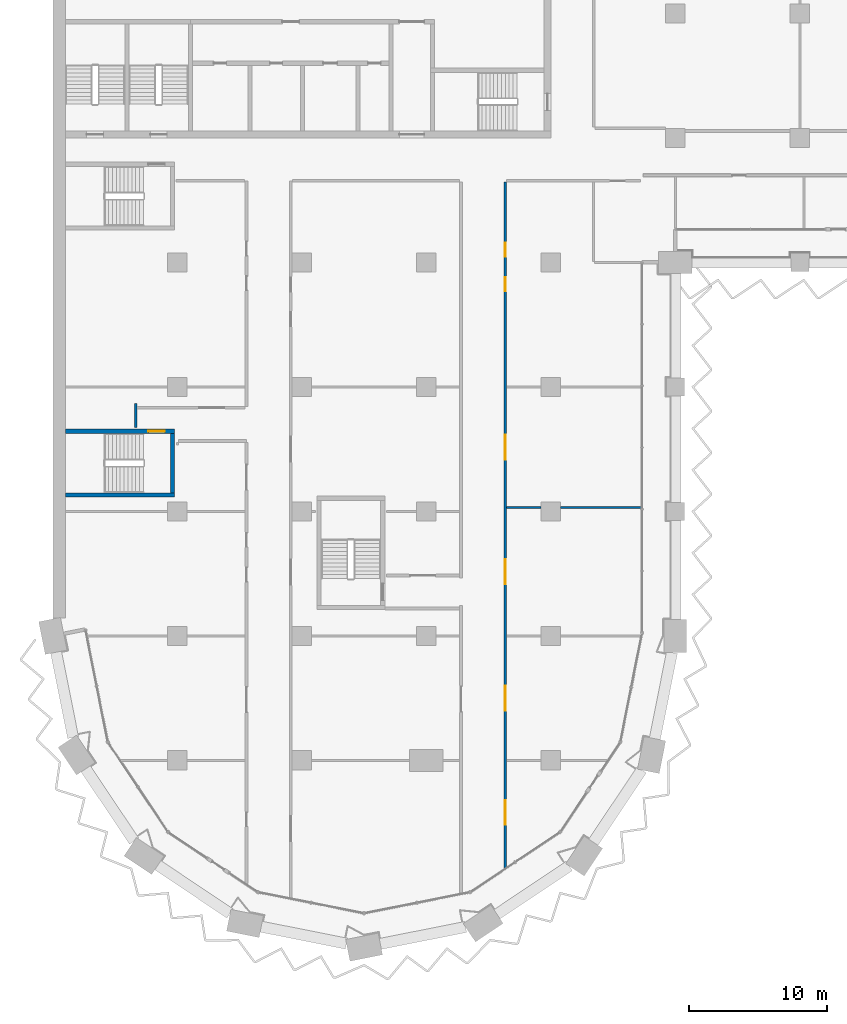
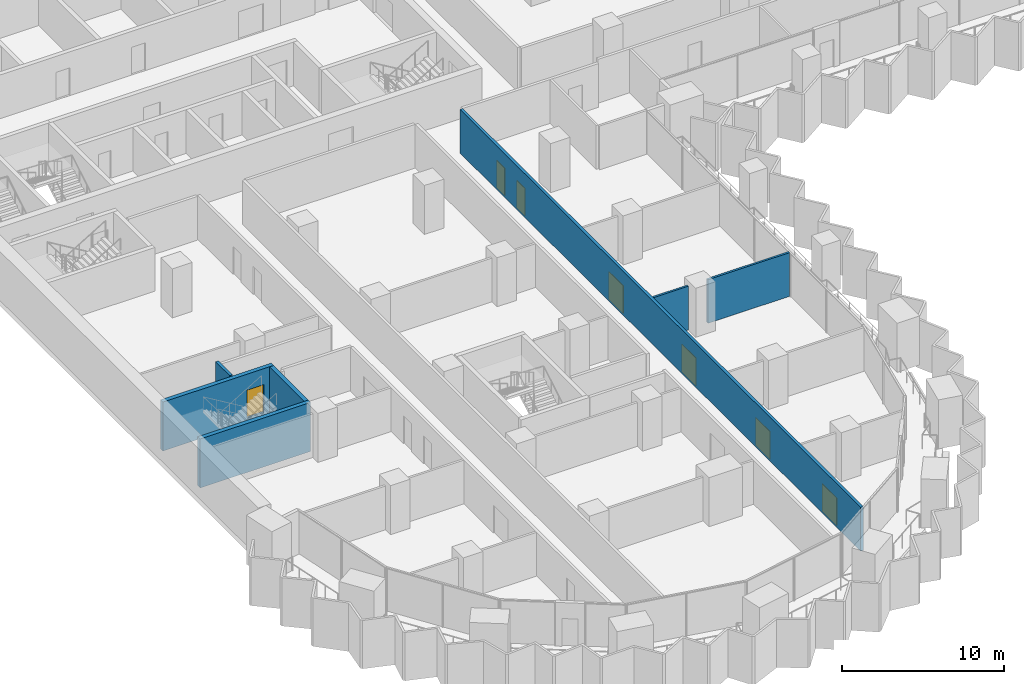
# One storey, part 11 of 29: 7 doors, 7 walls, 7 openings.
"""IFC4 building model written with IfcOpenShell, lengths in metres."""

from ifc_helpers import new_model, si_unit, direction, frame, frame_2d, origin, place, context, subcontext, project, spatial, rectangle, extrude, material, layer, layer_set, type_object, element, fill, save


model = new_model("IFC4")

# Units and contexts
model_context = context("Model", 3, precision=1e-05, world=origin(), true_north=direction((0.0, 1.0)))
body_context = subcontext(model_context, "Body", "Model", "MODEL_VIEW")
ifc_project = project(units=[si_unit("LENGTHUNIT", "METRE"), si_unit("AREAUNIT", "SQUARE_METRE"), si_unit("VOLUMEUNIT", "CUBIC_METRE"), si_unit("PLANEANGLEUNIT", "RADIAN"), si_unit("MASSUNIT", "GRAM", prefix="KILO")], contexts=[model_context])

# Site, building, storey
site_placement = place(None, origin())
site = spatial("IfcSite", under=ifc_project, at=site_placement, CompositionType="ELEMENT")
building_placement = place(site_placement, origin())
building = spatial("IfcBuilding", under=site, at=building_placement, Name="Hunhe Ridgeline Campus", CompositionType="ELEMENT")
storey_placement = place(building_placement, frame((0.0, 0.0, 65.39990234375)))
storey = spatial("IfcBuildingStorey", under=building, at=storey_placement, Name="L15", CompositionType="ELEMENT", Elevation=65.39990234375)

# Wall
ifc_material_1 = material(Name="Gypsum board partition")
ifc_layer_1 = layer(ifc_material_1, 0.199951171875)
ifc_layer_set_1 = layer_set([ifc_layer_1], Name="Corridor partition 200 gypsum board on steel studs")
wall_type_1 = type_object("IfcWallType", Name="Corridor partition 200 gypsum board on steel studs", PredefinedType="PARTITIONING", material=ifc_layer_set_1)
wall_1_placement = place(storey_placement, frame((6.0, 42.053955078125, 0.0), z_axis=(0.0, 0.0, 1.0), x_axis=(0.0, 1.0, 0.0)))
element("IfcWall", 1, at=wall_1_placement, inside=storey, type_object=wall_type_1, Name="F-L15-wall-050", PredefinedType="PARTITIONING", context=body_context, shape_type="SweptSolid", body=[
    extrude(rectangle(XDim=1.74609375, YDim=0.199951171875, at=frame_2d((0.873046875, 0.0))), origin(), (0.0, 0.0, 1.0), 3.300048828125),
])

# Wall, openings, doors
wall_2_placement = place(storey_placement, frame((32.699951171875, 59.800048828125, 0.0), z_axis=(0.0, 0.0, 1.0), x_axis=(0.0, -1.0, 0.0)))
wall_2 = element("IfcWall", 2, at=wall_2_placement, inside=storey, type_object=wall_type_1, Name="F-L15-wall-057", PredefinedType="PARTITIONING", context=body_context, shape_type="SweptSolid", body=[
    extrude(rectangle(XDim=49.572509765625, YDim=0.199951171875, at=frame_2d((24.7861328125, 0.0))), origin(), (0.0, 0.0, 1.0), 3.300048828125),
])
opening_1_placement = place(wall_2_placement, frame((44.666748046875, 0.0, 0.0)))
opening_1 = element("IfcOpeningElement", 3, at=opening_1_placement, cuts=wall_2, Name="Opening RD2-003", PredefinedType="OPENING", context=body_context, shape_type="SweptSolid", body=[
    extrude(rectangle(XDim=1.800048828125, YDim=2.10009765625, at=frame_2d((0.89990234375, 1.050048828125))), frame((0.0, 0.10009765625, 0.0), z_axis=(0.0, -1.0, 0.0), x_axis=(1.0, 0.0, 0.0)), (0.0, 0.0, 1.0), 0.199951171875),
])
opening_2_placement = place(wall_2_placement, frame((36.404541015625, 0.0, 0.0)))
opening_2 = element("IfcOpeningElement", 4, at=opening_2_placement, cuts=wall_2, Name="Opening RD2-006", PredefinedType="OPENING", context=body_context, shape_type="SweptSolid", body=[
    extrude(rectangle(XDim=1.800048828125, YDim=2.10009765625, at=frame_2d((0.89990234375, 1.050048828125))), frame((0.0, 0.10009765625, 0.0), z_axis=(0.0, -1.0, 0.0), x_axis=(1.0, 0.0, 0.0)), (0.0, 0.0, 1.0), 0.199951171875),
])
opening_3_placement = place(wall_2_placement, frame((27.26611328125, 0.0, 0.0)))
opening_3 = element("IfcOpeningElement", 5, at=opening_3_placement, cuts=wall_2, Name="Opening RD2-010", PredefinedType="OPENING", context=body_context, shape_type="SweptSolid", body=[
    extrude(rectangle(XDim=1.800048828125, YDim=2.10009765625, at=frame_2d((0.89990234375, 1.050048828125))), frame((0.0, 0.10009765625, 0.0), z_axis=(0.0, -1.0, 0.0), x_axis=(1.0, 0.0, 0.0)), (0.0, 0.0, 1.0), 0.199951171875),
])
opening_4_placement = place(wall_2_placement, frame((18.2529296875, 0.0, 0.0)))
opening_4 = element("IfcOpeningElement", 6, at=opening_4_placement, cuts=wall_2, Name="Opening RD2-014", PredefinedType="OPENING", context=body_context, shape_type="SweptSolid", body=[
    extrude(rectangle(XDim=1.800048828125, YDim=2.10009765625, at=frame_2d((0.89990234375, 1.050048828125))), frame((0.0, 0.10009765625, 0.0), z_axis=(0.0, -1.0, 0.0), x_axis=(1.0, 0.0, 0.0)), (0.0, 0.0, 1.0), 0.199951171875),
])
opening_5_placement = place(wall_2_placement, frame((6.8857421875, 0.0, 0.0)))
opening_5 = element("IfcOpeningElement", 7, at=opening_5_placement, cuts=wall_2, Name="Opening RD1-018", PredefinedType="OPENING", context=body_context, shape_type="SweptSolid", body=[
    extrude(rectangle(XDim=1.0, YDim=2.10009765625, at=frame_2d((0.5, 1.050048828125))), frame((0.0, 0.10009765625, 0.0), z_axis=(0.0, -1.0, 0.0), x_axis=(1.0, 0.0, 0.0)), (0.0, 0.0, 1.0), 0.199951171875),
])
opening_6_placement = place(wall_2_placement, frame((4.3857421875, 0.0, 0.0)))
opening_6 = element("IfcOpeningElement", 8, at=opening_6_placement, cuts=wall_2, Name="Opening RD1-020", PredefinedType="OPENING", context=body_context, shape_type="SweptSolid", body=[
    extrude(rectangle(XDim=1.0, YDim=2.10009765625, at=frame_2d((0.5, 1.050048828125))), frame((0.0, 0.10009765625, 0.0), z_axis=(0.0, -1.0, 0.0), x_axis=(1.0, 0.0, 0.0)), (0.0, 0.0, 1.0), 0.199951171875),
])
ifc_material_2 = material(Name="Timber door leaf", Category="wood")
door_type_1 = type_object("IfcDoorType", Name="Double fire door 1800x2100 timber FD60", OperationType="DOUBLE_DOOR_SINGLE_SWING", PredefinedType="DOOR", material=ifc_material_2)
door_1_placement = place(opening_1_placement, origin())
door_1 = element("IfcDoor", 9, at=door_1_placement, inside=storey, type_object=door_type_1, Name="F-L15-door-003", OperationType="DOUBLE_DOOR_SINGLE_SWING", OverallHeight=2.10009765625, OverallWidth=1.800048828125, PredefinedType="DOOR", context=body_context, shape_type="SweptSolid", body=[
    extrude(rectangle(XDim=1.800048828125, YDim=2.10009765625, at=frame_2d((0.89990234375, 1.050048828125))), frame((0.0, 0.02490234375, 0.0), z_axis=(0.0, -1.0, 0.0), x_axis=(1.0, 0.0, 0.0)), (0.0, 0.0, 1.0), 0.050048828125),
])
fill(opening_1, door_1)
door_2_placement = place(opening_2_placement, origin())
door_2 = element("IfcDoor", 10, at=door_2_placement, inside=storey, type_object=door_type_1, Name="F-L15-door-006", OperationType="DOUBLE_DOOR_SINGLE_SWING", OverallHeight=2.10009765625, OverallWidth=1.800048828125, PredefinedType="DOOR", context=body_context, shape_type="SweptSolid", body=[
    extrude(rectangle(XDim=1.800048828125, YDim=2.10009765625, at=frame_2d((0.89990234375, 1.050048828125))), frame((0.0, 0.02490234375, 0.0), z_axis=(0.0, -1.0, 0.0), x_axis=(1.0, 0.0, 0.0)), (0.0, 0.0, 1.0), 0.050048828125),
])
fill(opening_2, door_2)
door_3_placement = place(opening_3_placement, origin())
door_3 = element("IfcDoor", 11, at=door_3_placement, inside=storey, type_object=door_type_1, Name="F-L15-door-010", OperationType="DOUBLE_DOOR_SINGLE_SWING", OverallHeight=2.10009765625, OverallWidth=1.800048828125, PredefinedType="DOOR", context=body_context, shape_type="SweptSolid", body=[
    extrude(rectangle(XDim=1.800048828125, YDim=2.10009765625, at=frame_2d((0.89990234375, 1.050048828125))), frame((0.0, 0.02490234375, 0.0), z_axis=(0.0, -1.0, 0.0), x_axis=(1.0, 0.0, 0.0)), (0.0, 0.0, 1.0), 0.050048828125),
])
fill(opening_3, door_3)
door_4_placement = place(opening_4_placement, origin())
door_4 = element("IfcDoor", 12, at=door_4_placement, inside=storey, type_object=door_type_1, Name="F-L15-door-014", OperationType="DOUBLE_DOOR_SINGLE_SWING", OverallHeight=2.10009765625, OverallWidth=1.800048828125, PredefinedType="DOOR", context=body_context, shape_type="SweptSolid", body=[
    extrude(rectangle(XDim=1.800048828125, YDim=2.10009765625, at=frame_2d((0.89990234375, 1.050048828125))), frame((0.0, 0.02490234375, 0.0), z_axis=(0.0, -1.0, 0.0), x_axis=(1.0, 0.0, 0.0)), (0.0, 0.0, 1.0), 0.050048828125),
])
fill(opening_4, door_4)
door_type_2 = type_object("IfcDoorType", Name="Single fire door 1000x2100 timber FD60", OperationType="NOTDEFINED", PredefinedType="DOOR", material=ifc_material_2)
door_5_placement = place(opening_5_placement, frame((1.0, 0.0, 0.0), z_axis=(0.0, 0.0, 1.0), x_axis=(-1.0, 0.0, 0.0)))
door_5 = element("IfcDoor", 13, at=door_5_placement, inside=storey, type_object=door_type_2, Name="F-L15-door-018", OperationType="SINGLE_SWING_RIGHT", OverallHeight=2.10009765625, OverallWidth=1.0, PredefinedType="DOOR", context=body_context, shape_type="SweptSolid", body=[
    extrude(rectangle(XDim=1.0, YDim=2.10009765625, at=frame_2d((0.5, 1.050048828125))), frame((0.0, 0.02490234375, 0.0), z_axis=(0.0, -1.0, 0.0), x_axis=(1.0, 0.0, 0.0)), (0.0, 0.0, 1.0), 0.050048828125),
])
fill(opening_5, door_5)
door_6_placement = place(opening_6_placement, frame((1.0, 0.0, 0.0), z_axis=(0.0, 0.0, 1.0), x_axis=(-1.0, 0.0, 0.0)))
door_6 = element("IfcDoor", 14, at=door_6_placement, inside=storey, type_object=door_type_2, Name="F-L15-door-020", OperationType="SINGLE_SWING_RIGHT", OverallHeight=2.10009765625, OverallWidth=1.0, PredefinedType="DOOR", context=body_context, shape_type="SweptSolid", body=[
    extrude(rectangle(XDim=1.0, YDim=2.10009765625, at=frame_2d((0.5, 1.050048828125))), frame((0.0, 0.02490234375, 0.0), z_axis=(0.0, -1.0, 0.0), x_axis=(1.0, 0.0, 0.0)), (0.0, 0.0, 1.0), 0.050048828125),
])
fill(opening_6, door_6)

# Walls
ifc_layer_2 = layer(ifc_material_1, 0.14990234375)
ifc_layer_set_2 = layer_set([ifc_layer_2], Name="Room partition 150 gypsum board on steel studs")
wall_type_2 = type_object("IfcWallType", Name="Room partition 150 gypsum board on steel studs", PredefinedType="PARTITIONING", material=ifc_layer_set_2)
wall_3_placement = place(storey_placement, frame((32.800048828125, 36.300048828125, 0.0), z_axis=(0.0, 0.0, 1.0), x_axis=(1.0, 0.0, 0.0)))
element("IfcWall", 15, at=wall_3_placement, inside=storey, type_object=wall_type_2, Name="F-L15-wall-020", PredefinedType="PARTITIONING", context=body_context, shape_type="SweptSolid", body=[
    extrude(rectangle(XDim=2.5, YDim=0.14990234375, at=frame_2d((1.25, 0.0))), origin(), (0.0, 0.0, 1.0), 3.300048828125),
])
wall_4_placement = place(storey_placement, frame((36.699951171875, 36.300048828125, 0.0), z_axis=(0.0, 0.0, 1.0), x_axis=(1.0, 0.0, 0.0)))
element("IfcWall", 16, at=wall_4_placement, inside=storey, type_object=wall_type_2, Name="F-L15-wall-021", PredefinedType="PARTITIONING", context=body_context, shape_type="SweptSolid", body=[
    extrude(rectangle(XDim=5.844970703125, YDim=0.14990234375, at=frame_2d((2.92236328125, 0.0))), origin(), (0.0, 0.0, 1.0), 3.300048828125),
])
ifc_material_3 = material(Name="Concrete C80", Category="concrete")
ifc_layer_3 = layer(ifc_material_3, 0.300048828125)
ifc_layer_set_3 = layer_set([ifc_layer_3], Name="Stair wall 300 reinforced concrete C80")
wall_type_3 = type_object("IfcWallType", Name="Stair wall 300 reinforced concrete C80", PredefinedType="SOLIDWALL", material=ifc_layer_set_3)
wall_5_placement = place(storey_placement, frame((0.89990234375, 37.199951171875, -0.39990234375), z_axis=(0.0, 0.0, 1.0), x_axis=(1.0, 0.0, 0.0)))
element("IfcWall", 17, at=wall_5_placement, inside=storey, type_object=wall_type_3, Name="L15 core wall 3", PredefinedType="SOLIDWALL", context=body_context, shape_type="SweptSolid", body=[
    extrude(rectangle(XDim=7.900146484375, YDim=0.300048828125, at=frame_2d((3.9501953125, 0.0))), origin(), (0.0, 0.0, 1.0), 3.699951171875),
])

# Wall, opening, door
wall_6_placement = place(storey_placement, frame((0.89990234375, 41.800048828125, -0.39990234375), z_axis=(0.0, 0.0, 1.0), x_axis=(1.0, 0.0, 0.0)))
wall_6 = element("IfcWall", 18, at=wall_6_placement, inside=storey, type_object=wall_type_3, Name="L15 core wall 4", PredefinedType="SOLIDWALL", context=body_context, shape_type="SweptSolid", body=[
    extrude(rectangle(XDim=7.900146484375, YDim=0.300048828125, at=frame_2d((3.9501953125, 0.0))), origin(), (0.0, 0.0, 1.0), 3.699951171875),
])
opening_7_placement = place(wall_6_placement, frame((6.0, 0.0, 0.39990234375)))
opening_7 = element("IfcOpeningElement", 19, at=opening_7_placement, cuts=wall_6, Name="Opening CD21", PredefinedType="OPENING", context=body_context, shape_type="SweptSolid", body=[
    extrude(rectangle(XDim=1.199951171875, YDim=2.10009765625, at=frame_2d((0.60009765625, 1.050048828125))), frame((0.0, 0.14990234375, 0.0), z_axis=(0.0, -1.0, 0.0), x_axis=(1.0, 0.0, 0.0)), (0.0, 0.0, 1.0), 0.300048828125),
])
ifc_material_4 = material(Name="Hollow metal fire door leaf")
door_type_3 = type_object("IfcDoorType", Name="Stair door 1200x2100 FD60", OperationType="SINGLE_SWING_LEFT", PredefinedType="DOOR", material=ifc_material_4)
door_7_placement = place(opening_7_placement, origin())
door_7 = element("IfcDoor", 20, at=door_7_placement, inside=storey, type_object=door_type_3, Name="L15 door W1", OperationType="SINGLE_SWING_LEFT", OverallHeight=2.10009765625, OverallWidth=1.199951171875, PredefinedType="DOOR", context=body_context, shape_type="SweptSolid", body=[
    extrude(rectangle(XDim=1.199951171875, YDim=2.10009765625, at=frame_2d((0.60009765625, 1.050048828125))), frame((0.0, 0.02490234375, 0.0), z_axis=(0.0, -1.0, 0.0), x_axis=(1.0, 0.0, 0.0)), (0.0, 0.0, 1.0), 0.050048828125),
])
fill(opening_7, door_7)

# Wall
wall_7_placement = place(storey_placement, frame((8.64990234375, 37.35009765625, -0.39990234375), z_axis=(0.0, 0.0, 1.0), x_axis=(0.0, 1.0, 0.0)))
element("IfcWall", 21, at=wall_7_placement, inside=storey, type_object=wall_type_3, Name="L15 core wall 41", PredefinedType="SOLIDWALL", context=body_context, shape_type="SweptSolid", body=[
    extrude(rectangle(XDim=4.2998046875, YDim=0.300048828125, at=frame_2d((2.14990234375, 0.0))), origin(), (0.0, 0.0, 1.0), 3.699951171875),
])

save(model, "model.ifc")
